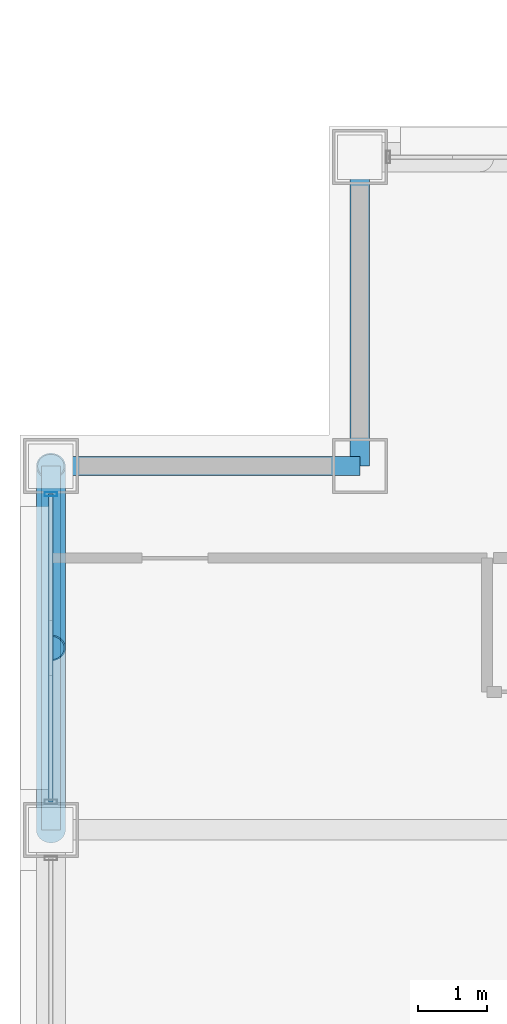
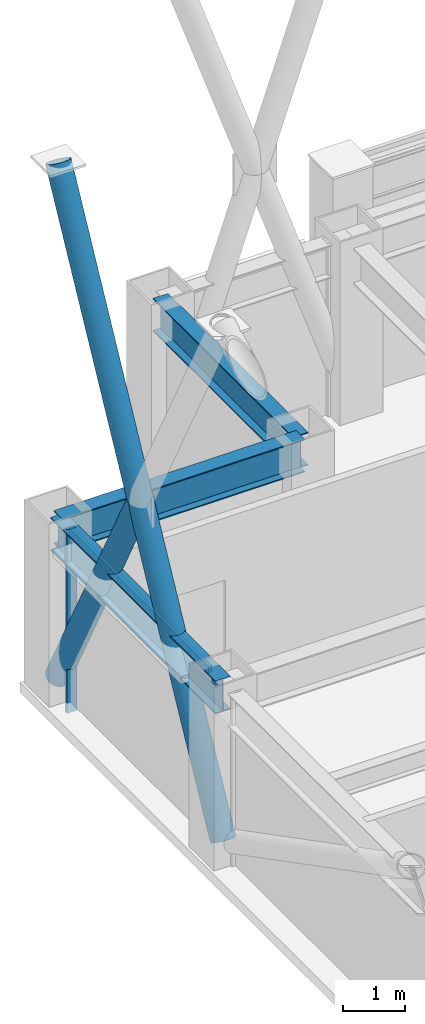
# One storey, part 18 of 33: 4 members, 3 beams, 1 element without a shape of its own.
"""IFC4 building model written with IfcOpenShell, lengths in metres."""

from ifc_helpers import new_model, si_unit, direction, frame, origin, origin_2d, place, context, subcontext, project, spatial, hollow_rectangle, hollow_circle, i_section, extrude, material, layer, layer_set, material_profile, profile_set, type_object, element, aggregate, save


model = new_model("IFC4")

# Units and contexts
model_context = context("Model", 3, precision=1e-05, world=origin(), true_north=direction((0.0, 1.0)))
body_context = subcontext(model_context, "Body", "Model", "MODEL_VIEW")
ifc_project = project(units=[si_unit("LENGTHUNIT", "METRE"), si_unit("AREAUNIT", "SQUARE_METRE"), si_unit("VOLUMEUNIT", "CUBIC_METRE"), si_unit("PLANEANGLEUNIT", "RADIAN"), si_unit("MASSUNIT", "GRAM", prefix="KILO")], contexts=[model_context])

# Site, building, storey
site_placement = place(None, origin())
site = spatial("IfcSite", under=ifc_project, at=site_placement, CompositionType="ELEMENT")
building_placement = place(site_placement, origin())
building = spatial("IfcBuilding", under=site, at=building_placement, Name="Brelmoor Portico Tower", CompositionType="ELEMENT")
storey_placement = place(building_placement, frame((0.0, 0.0, 120.60009765625)))
storey = spatial("IfcBuildingStorey", under=building, at=storey_placement, Name="L31", CompositionType="ELEMENT", Elevation=120.60009765625)

# Beams
ifc_material_1 = material(Name="Steel Q355B", Category="steel")
ifc_material_profile_1 = material_profile(ifc_material_1, i_section(OverallWidth=0.280029296875, OverallDepth=0.64990234375, WebThickness=0.012939453125, FlangeThickness=0.02197265625, at=origin_2d()), Name="HN 650x280x13x22")
ifc_profile_set_1 = profile_set([ifc_material_profile_1], Name="Steel Q355B")
beam_type = type_object("IfcBeamType", Name="BM-SP-650", PredefinedType="SPANDREL", material=ifc_profile_set_1)
beam_1_placement = place(storey_placement, frame((-22.550048828125, 15.050048828125, 3.074951171875), z_axis=(1.0, 0.0, 0.0), x_axis=(0.0, 1.0, 0.0)))
element("IfcBeam", 1, at=beam_1_placement, inside=storey, type_object=beam_type, Name="L31 Perimeter Spandrel Beam SP-08", PredefinedType="SPANDREL", context=body_context, shape_type="SweptSolid", body=[
    extrude(i_section(OverallWidth=0.280029296875, OverallDepth=0.64990234375, WebThickness=0.012939453125, FlangeThickness=0.02197265625, at=origin_2d()), origin(), (0.0, 0.0, 1.0), 4.5),
])
beam_2_placement = place(storey_placement, frame((-22.550048828125, 9.75, 3.074951171875), z_axis=(0.0, 1.0, 0.0), x_axis=(-1.0, 0.0, 0.0)))
element("IfcBeam", 2, at=beam_2_placement, inside=storey, type_object=beam_type, Name="L31 Perimeter Spandrel Beam SP-17", PredefinedType="SPANDREL", context=body_context, shape_type="SweptSolid", body=[
    extrude(i_section(OverallWidth=0.280029296875, OverallDepth=0.64990234375, WebThickness=0.012939453125, FlangeThickness=0.02197265625, at=origin_2d()), origin(), (0.0, 0.0, 1.0), 5.300048828125),
])
beam_3_placement = place(storey_placement, frame((-18.050048828125, 15.050048828125, 3.074951171875), z_axis=(0.0, 1.0, 0.0), x_axis=(-1.0, 0.0, 0.0)))
element("IfcBeam", 3, at=beam_3_placement, inside=storey, type_object=beam_type, Name="L31 Perimeter Spandrel Beam SP-19", PredefinedType="SPANDREL", context=body_context, shape_type="SweptSolid", body=[
    extrude(i_section(OverallWidth=0.280029296875, OverallDepth=0.64990234375, WebThickness=0.012939453125, FlangeThickness=0.02197265625, at=origin_2d()), origin(), (0.0, 0.0, 1.0), 4.5),
])

# Members
ifc_material_profile_2 = material_profile(ifc_material_1, hollow_circle(Radius=0.212890625, WallThickness=0.02001953125, at=origin_2d()), Name="CHS 426x20")
ifc_profile_set_2 = profile_set([ifc_material_profile_2], Name="Steel Q355B")
member_type_1 = type_object("IfcMemberType", Name="MB-BELT-DIAG1", PredefinedType="BRACE", material=ifc_profile_set_2)
member_1_placement = place(storey_placement, frame((-22.550048828125, 9.75, 0.25), z_axis=(0.0, 0.464670709165, 0.885483558314), x_axis=(-1.0, 0.0, 0.0)))
element("IfcMember", 4, at=member_1_placement, inside=storey, type_object=member_type_1, Name="L31 Continuous Mega-X Brace 071A", PredefinedType="BRACE", context=body_context, shape_type="SweptSolid", body=[
    extrude(hollow_circle(Radius=0.212890625, WallThickness=0.02001953125, at=origin_2d()), origin(), (0.0, 0.0, 1.0), 11.406005859375),
])
member_2_placement = place(storey_placement, frame((-22.550048828125, 15.050048828125, 0.25), z_axis=(0.0, -0.464696299147, 0.885470129117), x_axis=(1.0, 0.0, 0.0)))
element("IfcMember", 5, at=member_2_placement, inside=storey, type_object=member_type_1, Name="L31 Split Mega-X Brace 071B1", PredefinedType="BRACE", context=body_context, shape_type="SweptSolid", body=[
    extrude(hollow_circle(Radius=0.212890625, WallThickness=0.02001953125, at=origin_2d()), origin(), (0.0, 0.0, 1.0), 5.702880859375),
])

# Curtain wall, members
ifc_material_2 = material(Name="Anodised Aluminium Alloy 6063-T6", Category="aluminium")
ifc_layer = layer(ifc_material_2, 0.179931640625)
ifc_layer_set = layer_set([ifc_layer], Name="Anodised Aluminium Alloy 6063-T6")
curtain_wall_type = type_object("IfcCurtainWallType", Name="CW-TOWER-Z2-XB", PredefinedType="NOTDEFINED", material=ifc_layer_set)
curtain_wall_placement = place(storey_placement, origin())
curtain_wall = element("IfcCurtainWall", 6, at=curtain_wall_placement, inside=storey, type_object=curtain_wall_type, Name="L31 Curtain Wall CW-L31-03-3", PredefinedType="NOTDEFINED")
ifc_material_profile_3 = material_profile(ifc_material_2, hollow_rectangle(XDim=0.06494140625, YDim=0.179931640625, WallThickness=0.00390625, at=origin_2d()), Name="ALU MULLION 65x180")
ifc_profile_set_3 = profile_set([ifc_material_profile_3], Name="Anodised Aluminium Alloy 6063-T6")
member_type_2 = type_object("IfcMemberType", Name="MB-CW-MULL-180", PredefinedType="MULLION", material=ifc_profile_set_3)
member_3_placement = place(storey_placement, frame((-22.550048828125, 14.639892578125, -0.2001953125), z_axis=(0.0, 0.0, 1.0), x_axis=(0.0, 1.0, 0.0)))
member_3 = element("IfcMember", 7, at=member_3_placement, type_object=member_type_2, Name="CW-L31-03-3 Mullion 01", PredefinedType="MULLION", context=body_context, shape_type="SweptSolid", body=[
    extrude(hollow_rectangle(XDim=0.06494140625, YDim=0.179931640625, WallThickness=0.00390625, at=origin_2d()), origin(), (0.0, 0.0, 1.0), 3.60009765625),
])
ifc_material_profile_4 = material_profile(ifc_material_2, hollow_rectangle(XDim=0.06494140625, YDim=0.139892578125, WallThickness=0.00390625, at=origin_2d()), Name="ALU TRANSOM 65x140")
ifc_profile_set_4 = profile_set([ifc_material_profile_4], Name="Anodised Aluminium Alloy 6063-T6")
member_type_3 = type_object("IfcMemberType", Name="MB-CW-TRAN-140", PredefinedType="USERDEFINED", material=ifc_profile_set_4)
member_4_placement = place(storey_placement, frame((-22.550048828125, 10.159912109375, 3.329833984375), z_axis=(0.0, 1.0, 0.0), x_axis=(-1.0, 0.0, 0.0)))
member_4 = element("IfcMember", 8, at=member_4_placement, type_object=member_type_3, Name="CW-L31-03-3 Transom 1-00", ObjectType="TRANSOM", PredefinedType="USERDEFINED", context=body_context, shape_type="SweptSolid", body=[
    extrude(hollow_rectangle(XDim=0.06494140625, YDim=0.139892578125, WallThickness=0.00390625, at=origin_2d()), origin(), (0.0, 0.0, 1.0), 4.47998046875),
])
aggregate(curtain_wall, [member_3, member_4])

save(model, "model.ifc")
